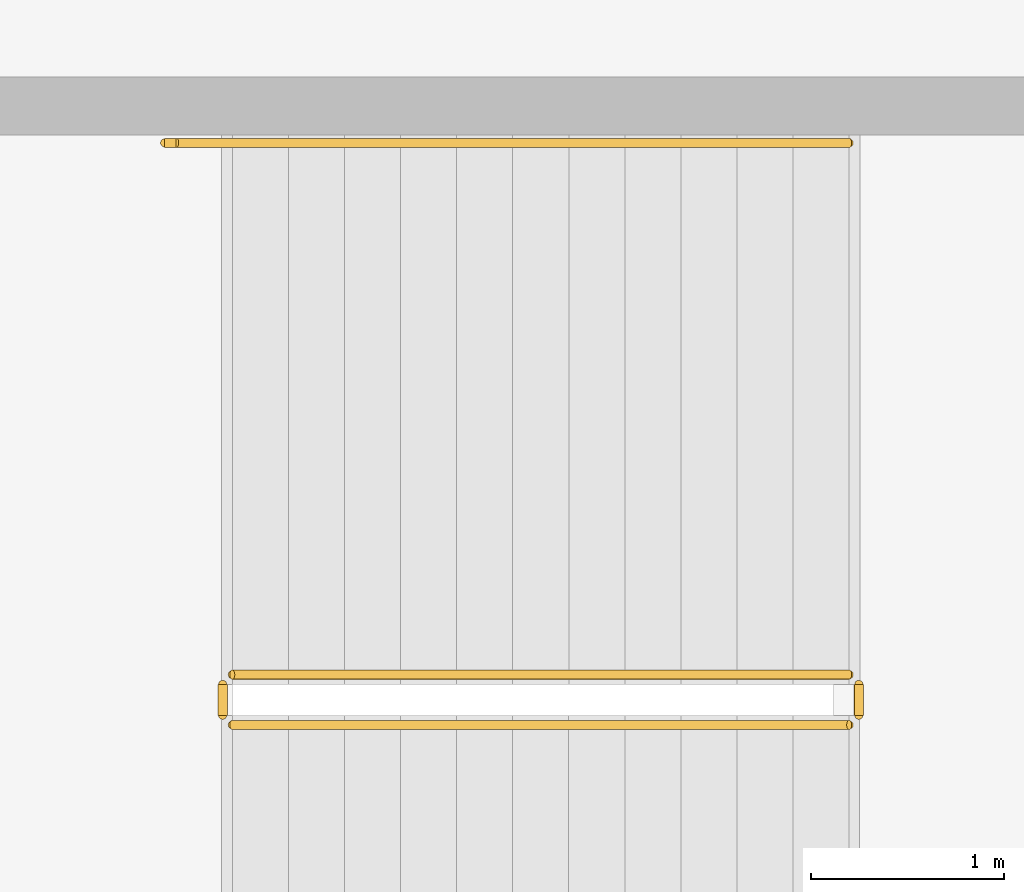
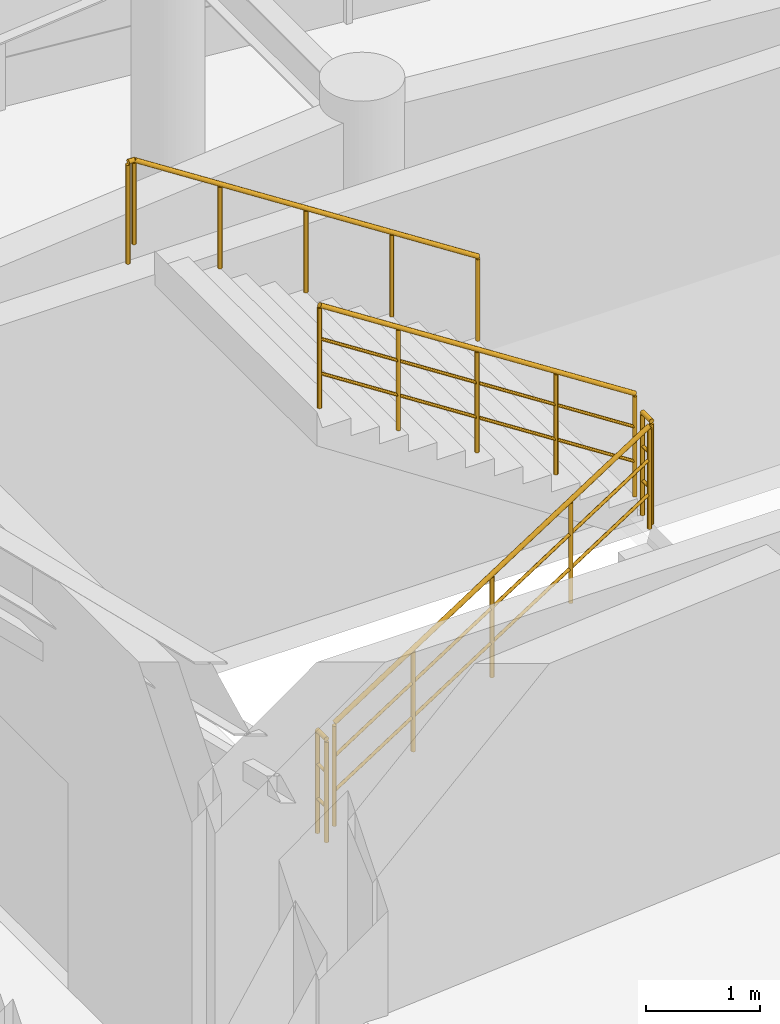
# One storey, part 106 of 112: 5 railings.
"""IFC4 building model written with IfcOpenShell, lengths in metres."""

from ifc_helpers import new_model, si_unit, direction, frame, origin, origin_2d, place, context, subcontext, project, spatial, circle, extrude, material, type_object, element, save


model = new_model("IFC4")

# Units and contexts
model_context = context("Model", 3, precision=1e-05, world=origin(), true_north=direction((0.0, 1.0)))
body_context = subcontext(model_context, "Body", "Model", "MODEL_VIEW")
ifc_project = project(units=[si_unit("LENGTHUNIT", "METRE"), si_unit("AREAUNIT", "SQUARE_METRE"), si_unit("VOLUMEUNIT", "CUBIC_METRE"), si_unit("PLANEANGLEUNIT", "RADIAN"), si_unit("MASSUNIT", "GRAM", prefix="KILO")], contexts=[model_context])

# Site, building, storey
site_placement = place(None, origin())
site = spatial("IfcSite", under=ifc_project, at=site_placement, CompositionType="ELEMENT")
building_placement = place(site_placement, origin())
building = spatial("IfcBuilding", under=site, at=building_placement, Name="Cinderbank Siding Concert Hall", CompositionType="ELEMENT")
storey_placement = place(building_placement, frame((0.0, 0.0, 10.199951171875)))
storey = spatial("IfcBuildingStorey", under=building, at=storey_placement, Name="L03", CompositionType="ELEMENT", Elevation=10.199951171875)

# Railings
ifc_material = material(Name="Structural steel AS/NZS 3679.1 Grade 350 (340 MPa)", Category="steel")
railing_type_1 = type_object("IfcRailingType", Name="STG-01 Stair Well Guardrail 1120mm", PredefinedType="GUARDRAIL", material=ifc_material)
railing_1_placement = place(storey_placement, frame((119.14990234375, 61.550048828125, 0.1875)))
element("IfcRailing", 1, at=railing_1_placement, inside=storey, type_object=railing_type_1, Name="L03 ST-01 stair guard 1", PredefinedType="GUARDRAIL", context=body_context, shape_type="SweptSolid", body=[
    extrude(circle(Radius=0.02392578125, at=origin_2d()), frame((0.0, 0.0, 1.09619140625), z_axis=(0.839778728322, 0.0, 0.542928805147), x_axis=(0.0, 1.0, 0.0)), (0.0, 0.0, 1.0), 3.798828125),
    extrude(circle(Radius=0.01611328125, at=origin_2d()), frame((0.0, 0.0, 0.36962890625), z_axis=(0.839778728322, 0.0, 0.542928805147), x_axis=(0.0, 1.0, 0.0)), (0.0, 0.0, 1.0), 3.798828125),
    extrude(circle(Radius=0.01611328125, at=origin_2d()), frame((0.0, 0.0, 0.7392578125), z_axis=(0.839778728322, 0.0, 0.542928805147), x_axis=(0.0, 1.0, 0.0)), (0.0, 0.0, 1.0), 3.798828125),
    extrude(circle(Radius=0.02099609375, at=origin_2d()), origin(), (0.0, 0.0, 1.0), 1.072021484375),
    extrude(circle(Radius=0.02099609375, at=origin_2d()), frame((0.797607421875, 0.0, 0.515625)), (0.0, 0.0, 1.0), 1.072021484375),
    extrude(circle(Radius=0.02099609375, at=origin_2d()), frame((1.59521484375, 0.0, 1.03125)), (0.0, 0.0, 1.0), 1.072021484375),
    extrude(circle(Radius=0.02099609375, at=origin_2d()), frame((2.392578125, 0.0, 1.546875)), (0.0, 0.0, 1.0), 1.072021484375),
    extrude(circle(Radius=0.02099609375, at=origin_2d()), frame((3.190185546875, 0.0, 2.0625)), (0.0, 0.0, 1.0), 1.072021484375),
])
railing_2_placement = place(storey_placement, frame((122.389892578125, 61.60009765625, 2.25)))
element("IfcRailing", 2, at=railing_2_placement, inside=storey, type_object=railing_type_1, Name="L03 ST-01 stair guard 2", PredefinedType="GUARDRAIL", context=body_context, shape_type="SweptSolid", body=[
    extrude(circle(Radius=0.02392578125, at=origin_2d()), frame((0.0, 0.0, 1.09619140625), z_axis=(0.0, 1.0, 0.0), x_axis=(-1.0, 0.0, 0.0)), (0.0, 0.0, 1.0), 0.159912109375),
    extrude(circle(Radius=0.01611328125, at=origin_2d()), frame((0.0, 0.0, 0.36962890625), z_axis=(0.0, 1.0, 0.0), x_axis=(-1.0, 0.0, 0.0)), (0.0, 0.0, 1.0), 0.159912109375),
    extrude(circle(Radius=0.01611328125, at=origin_2d()), frame((0.0, 0.0, 0.7392578125), z_axis=(0.0, 1.0, 0.0), x_axis=(-1.0, 0.0, 0.0)), (0.0, 0.0, 1.0), 0.159912109375),
    extrude(circle(Radius=0.02099609375, at=origin_2d()), origin(), (0.0, 0.0, 1.0), 1.072021484375),
    extrude(circle(Radius=0.02099609375, at=origin_2d()), frame((0.0, 0.159912109375, 0.0)), (0.0, 0.0, 1.0), 1.072021484375),
])
railing_3_placement = place(storey_placement, frame((122.340087890625, 61.81005859375, 2.4375)))
element("IfcRailing", 3, at=railing_3_placement, inside=storey, type_object=railing_type_1, Name="L03 ST-01 stair guard 3", PredefinedType="GUARDRAIL", context=body_context, shape_type="SweptSolid", body=[
    extrude(circle(Radius=0.02392578125, at=origin_2d()), frame((0.0, 0.0, 1.09619140625), z_axis=(-0.839778728322, 0.0, 0.542928805147), x_axis=(0.0, -1.0, 0.0)), (0.0, 0.0, 1.0), 3.798828125),
    extrude(circle(Radius=0.01611328125, at=origin_2d()), frame((0.0, 0.0, 0.36962890625), z_axis=(-0.839778728322, 0.0, 0.542928805147), x_axis=(0.0, -1.0, 0.0)), (0.0, 0.0, 1.0), 3.798828125),
    extrude(circle(Radius=0.01611328125, at=origin_2d()), frame((0.0, 0.0, 0.7392578125), z_axis=(-0.839778728322, 0.0, 0.542928805147), x_axis=(0.0, -1.0, 0.0)), (0.0, 0.0, 1.0), 3.798828125),
    extrude(circle(Radius=0.02099609375, at=origin_2d()), origin(), (0.0, 0.0, 1.0), 1.072021484375),
    extrude(circle(Radius=0.02099609375, at=origin_2d()), frame((-0.797607421875, 0.0, 0.515625)), (0.0, 0.0, 1.0), 1.072021484375),
    extrude(circle(Radius=0.02099609375, at=origin_2d()), frame((-1.59521484375, 0.0, 1.03125)), (0.0, 0.0, 1.0), 1.072021484375),
    extrude(circle(Radius=0.02099609375, at=origin_2d()), frame((-2.392578125, 0.0, 1.546875)), (0.0, 0.0, 1.0), 1.072021484375),
    extrude(circle(Radius=0.02099609375, at=origin_2d()), frame((-3.190185546875, 0.0, 2.0625)), (0.0, 0.0, 1.0), 1.072021484375),
])
railing_4_placement = place(storey_placement, frame((119.10009765625, 61.60009765625, 0.0)))
element("IfcRailing", 4, at=railing_4_placement, inside=storey, type_object=railing_type_1, Name="L03 ST-01 stair guard 4", PredefinedType="GUARDRAIL", context=body_context, shape_type="SweptSolid", body=[
    extrude(circle(Radius=0.02392578125, at=origin_2d()), frame((0.0, 0.0, 1.09619140625), z_axis=(0.0, 1.0, 0.0), x_axis=(-1.0, 0.0, 0.0)), (0.0, 0.0, 1.0), 0.159912109375),
    extrude(circle(Radius=0.01611328125, at=origin_2d()), frame((0.0, 0.0, 0.36962890625), z_axis=(0.0, 1.0, 0.0), x_axis=(-1.0, 0.0, 0.0)), (0.0, 0.0, 1.0), 0.159912109375),
    extrude(circle(Radius=0.01611328125, at=origin_2d()), frame((0.0, 0.0, 0.7392578125), z_axis=(0.0, 1.0, 0.0), x_axis=(-1.0, 0.0, 0.0)), (0.0, 0.0, 1.0), 0.159912109375),
    extrude(circle(Radius=0.02099609375, at=origin_2d()), origin(), (0.0, 0.0, 1.0), 1.072021484375),
    extrude(circle(Radius=0.02099609375, at=origin_2d()), frame((0.0, 0.159912109375, 0.0)), (0.0, 0.0, 1.0), 1.072021484375),
])
railing_type_2 = type_object("IfcRailingType", Name="STH-01 Stair Pitch Handrail 920mm", PredefinedType="HANDRAIL", material=ifc_material)
railing_5_placement = place(storey_placement, frame((122.340087890625, 64.56005859375, 2.4375)))
element("IfcRailing", 5, at=railing_5_placement, inside=storey, type_object=railing_type_2, Name="L03 ST-01 stair handrail 2", PredefinedType="HANDRAIL", context=body_context, shape_type="SweptSolid", body=[
    extrude(circle(Radius=0.02392578125, at=origin_2d()), frame((0.0, 0.0, 0.89599609375), z_axis=(-0.839762940478, 0.0, 0.542953224319), x_axis=(0.0, -1.0, 0.0)), (0.0, 0.0, 1.0), 4.14404296875),
    extrude(circle(Radius=0.02392578125, at=origin_2d()), frame((-3.47998046875, 0.0, 3.14599609375), z_axis=(-1.0, 0.0, 0.0), x_axis=(0.0, -1.0, 0.0)), (0.0, 0.0, 1.0), 0.06005859375),
    extrude(circle(Radius=0.02099609375, at=origin_2d()), origin(), (0.0, 0.0, 1.0), 0.871826171875),
    extrude(circle(Radius=0.02099609375, at=origin_2d()), frame((-0.8701171875, 0.0, 0.5625)), (0.0, 0.0, 1.0), 0.871826171875),
    extrude(circle(Radius=0.02099609375, at=origin_2d()), frame((-1.739990234375, 0.0, 1.125)), (0.0, 0.0, 1.0), 0.871826171875),
    extrude(circle(Radius=0.02099609375, at=origin_2d()), frame((-2.60986328125, 0.0, 1.6875)), (0.0, 0.0, 1.0), 0.871826171875),
    extrude(circle(Radius=0.02099609375, at=origin_2d()), frame((-3.47998046875, 0.0, 2.25)), (0.0, 0.0, 1.0), 0.871826171875),
    extrude(circle(Radius=0.02099609375, at=origin_2d()), frame((-3.5400390625, 0.0, 2.0625)), (0.0, 0.0, 1.0), 1.059326171875),
])

save(model, "model.ifc")
